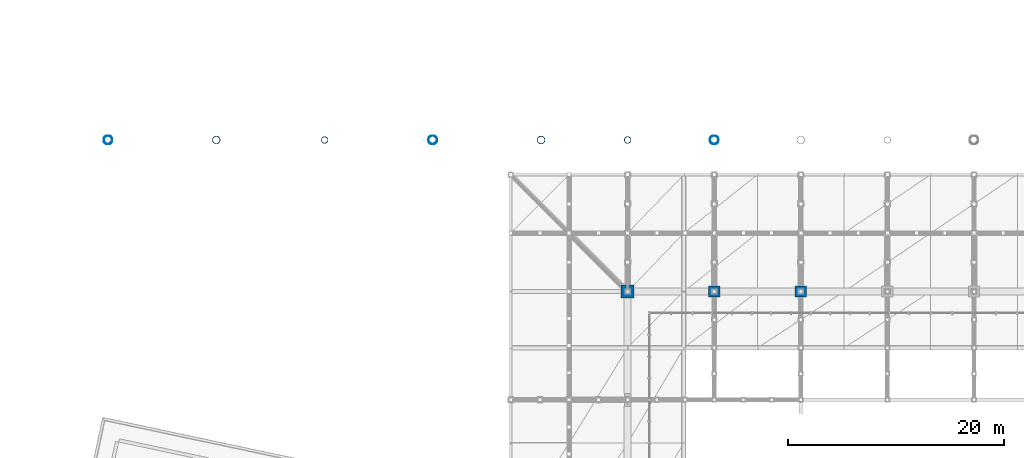
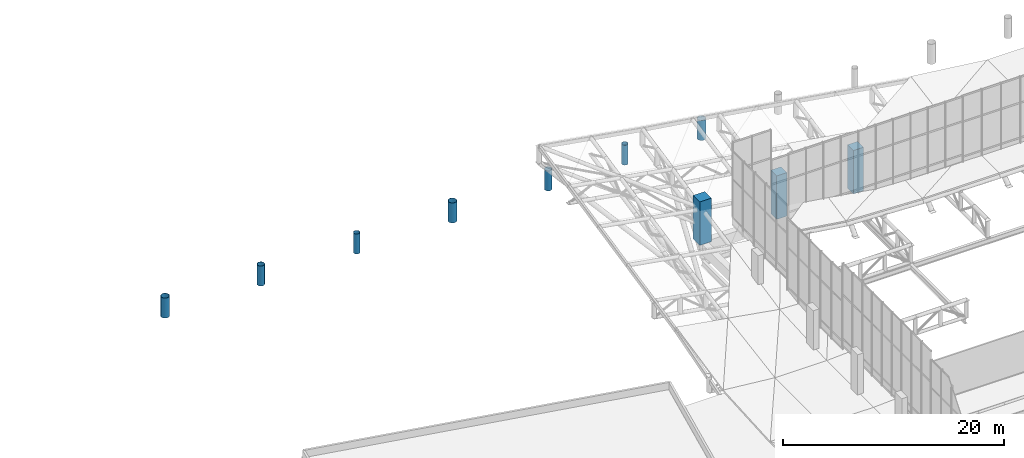
# One storey, part 2 of 137: 10 columns.
"""IFC4 building model written with IfcOpenShell, lengths in metres."""

from ifc_helpers import new_model, si_unit, direction, frame, origin, origin_2d, place, context, subcontext, project, spatial, rectangle, hollow_circle, extrude, material, material_profile, profile_set, type_object, element, save


model = new_model("IFC4")

# Units and contexts
model_context = context("Model", 3, precision=1e-05, world=origin(), true_north=direction((0.0, 1.0)))
body_context = subcontext(model_context, "Body", "Model", "MODEL_VIEW")
ifc_project = project(units=[si_unit("LENGTHUNIT", "METRE"), si_unit("AREAUNIT", "SQUARE_METRE"), si_unit("VOLUMEUNIT", "CUBIC_METRE"), si_unit("PLANEANGLEUNIT", "RADIAN"), si_unit("MASSUNIT", "GRAM", prefix="KILO")], contexts=[model_context])

# Site, building, storey
site_placement = place(None, origin())
site = spatial("IfcSite", under=ifc_project, at=site_placement, CompositionType="ELEMENT")
building_placement = place(site_placement, origin())
building = spatial("IfcBuilding", under=site, at=building_placement, Name="Khorjan Park Terminus", CompositionType="ELEMENT")
storey_placement = place(building_placement, frame((0.0, 0.0, 11.4)))
storey = spatial("IfcBuildingStorey", under=building, at=storey_placement, Name="L02", CompositionType="ELEMENT", Elevation=11.4)

# Columns
ifc_material_1 = material(Name="Concrete C50/60", Category="concrete")
ifc_material_profile_1 = material_profile(ifc_material_1, rectangle(XDim=1.05, YDim=1.05, at=origin_2d()), Name="RC 1050x1050")
ifc_profile_set_1 = profile_set([ifc_material_profile_1], Name="Concrete C50/60")
column_type_1 = type_object("IfcColumnType", Name="COL-RC1050", PredefinedType="COLUMN", material=ifc_profile_set_1)
for number, where, z_axis, x_axis, name in (
    (1, (56.0, 88.0, 0.0), (0.0, 0.0, 1.0), (1.0, 0.0, 0.0), "Structural column C-RC105 (L02 #283)"),
    (2, (64.0, 88.0, 0.0), (0.0, 0.0, 1.0), (1.0, 0.0, 0.0), "Structural column C-RC105 (L02 #306)"),
):
    element("IfcColumn", number, at=place(storey_placement, frame(where, z_axis=z_axis, x_axis=x_axis)), inside=storey, type_object=column_type_1, Name=name, PredefinedType="COLUMN", context=body_context, shape_type="SweptSolid", body=[
        extrude(rectangle(XDim=1.05, YDim=1.05, at=origin_2d()), origin(), (0.0, 0.0, 1.0), 4.8),
    ])
ifc_material_profile_2 = material_profile(ifc_material_1, rectangle(XDim=1.2, YDim=1.2, at=origin_2d()), Name="RC 1200x1200")
ifc_profile_set_2 = profile_set([ifc_material_profile_2], Name="Concrete C50/60")
column_type_2 = type_object("IfcColumnType", Name="COL-RC1200", PredefinedType="COLUMN", material=ifc_profile_set_2)
column_placement = place(storey_placement, frame((48.0, 88.0, 0.0), z_axis=(0.0, 0.0, 1.0), x_axis=(1.0, 0.0, 0.0)))
element("IfcColumn", 3, at=column_placement, inside=storey, type_object=column_type_2, Name="Structural column C-RC12 (L02 #268)", PredefinedType="COLUMN", context=body_context, shape_type="SweptSolid", body=[
    extrude(rectangle(XDim=1.2, YDim=1.2, at=origin_2d()), origin(), (0.0, 0.0, 1.0), 4.8),
])
ifc_material_2 = material(Name="Steel S355", Category="steel")
ifc_material_profile_3 = material_profile(ifc_material_2, hollow_circle(Radius=0.305, WallThickness=0.02, at=origin_2d()), Name="CHS 610x20")
ifc_profile_set_3 = profile_set([ifc_material_profile_3], Name="Steel S355")
column_type_3 = type_object("IfcColumnType", Name="COL-SH610E", PredefinedType="COLUMN", material=ifc_profile_set_3)
for number, where, z_axis, x_axis, name in (
    (4, (20.0, 102.0, 0.0), (0.0, 0.0, 1.0), (1.0, 0.0, 0.0), "Structural column SC-61 (L02 #28)"),
    (5, (48.0, 102.0, 0.0), (0.0, 0.0, 1.0), (1.0, 0.0, 0.0), "Structural column SC-61 (L02 #64)"),
):
    element("IfcColumn", number, at=place(storey_placement, frame(where, z_axis=z_axis, x_axis=x_axis)), inside=storey, type_object=column_type_3, Name=name, PredefinedType="COLUMN", context=body_context, shape_type="SweptSolid", body=[
        extrude(hollow_circle(Radius=0.305, WallThickness=0.02, at=origin_2d()), origin(), (0.0, 0.0, 1.0), 2.2),
    ])
ifc_material_profile_4 = material_profile(ifc_material_2, hollow_circle(Radius=0.3555, WallThickness=0.025, at=origin_2d()), Name="CHS 711x25")
ifc_profile_set_4 = profile_set([ifc_material_profile_4], Name="Steel S355")
column_type_4 = type_object("IfcColumnType", Name="COL-SH711E", PredefinedType="COLUMN", material=ifc_profile_set_4)
for number, where, z_axis, x_axis, name in (
    (6, (10.0, 102.0, 0.0), (0.0, 0.0, 1.0), (1.0, 0.0, 0.0), "Structural column SC-71 (L02 #16)"),
    (7, (40.0, 102.0, 0.0), (0.0, 0.0, 1.0), (1.0, 0.0, 0.0), "Structural column SC-71 (L02 #52)"),
):
    element("IfcColumn", number, at=place(storey_placement, frame(where, z_axis=z_axis, x_axis=x_axis)), inside=storey, type_object=column_type_4, Name=name, PredefinedType="COLUMN", context=body_context, shape_type="SweptSolid", body=[
        extrude(hollow_circle(Radius=0.3555, WallThickness=0.025, at=origin_2d()), origin(), (0.0, 0.0, 1.0), 2.2),
    ])
ifc_material_profile_5 = material_profile(ifc_material_2, hollow_circle(Radius=0.4065, WallThickness=0.025, at=origin_2d()), Name="CHS 813x25")
ifc_profile_set_5 = profile_set([ifc_material_profile_5], Name="Steel S355")
column_type_5 = type_object("IfcColumnType", Name="COL-SH813E", PredefinedType="COLUMN", material=ifc_profile_set_5)
for number, where, z_axis, x_axis, name in (
    (8, (0.0, 102.0, 0.0), (0.0, 0.0, 1.0), (1.0, 0.0, 0.0), "Structural column SC-81 (L02 #4)"),
    (9, (30.0, 102.0, 0.0), (0.0, 0.0, 1.0), (1.0, 0.0, 0.0), "Structural column SC-81 (L02 #40)"),
    (10, (56.0, 102.0, 0.0), (0.0, 0.0, 1.0), (1.0, 0.0, 0.0), "Structural column SC-81 (L02 #76)"),
):
    element("IfcColumn", number, at=place(storey_placement, frame(where, z_axis=z_axis, x_axis=x_axis)), inside=storey, type_object=column_type_5, Name=name, PredefinedType="COLUMN", context=body_context, shape_type="SweptSolid", body=[
        extrude(hollow_circle(Radius=0.4065, WallThickness=0.025, at=origin_2d()), origin(), (0.0, 0.0, 1.0), 2.2),
    ])

save(model, "model.ifc")
